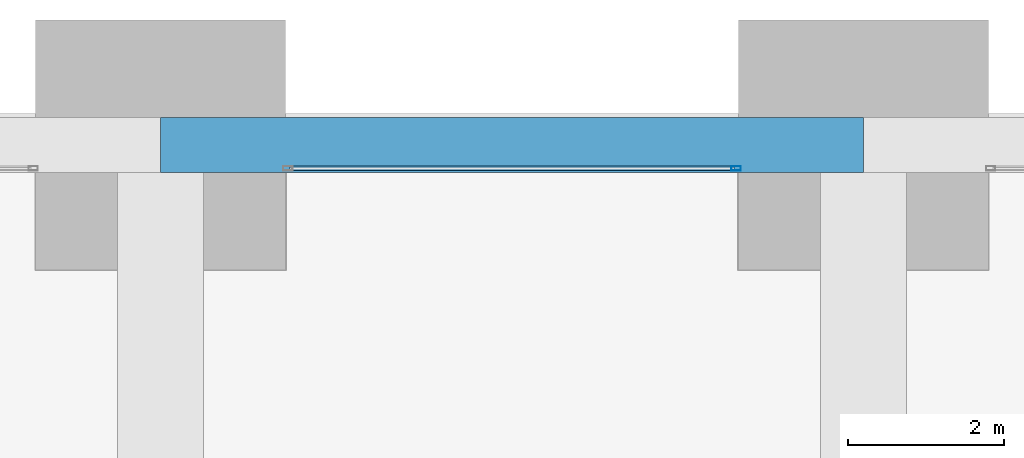
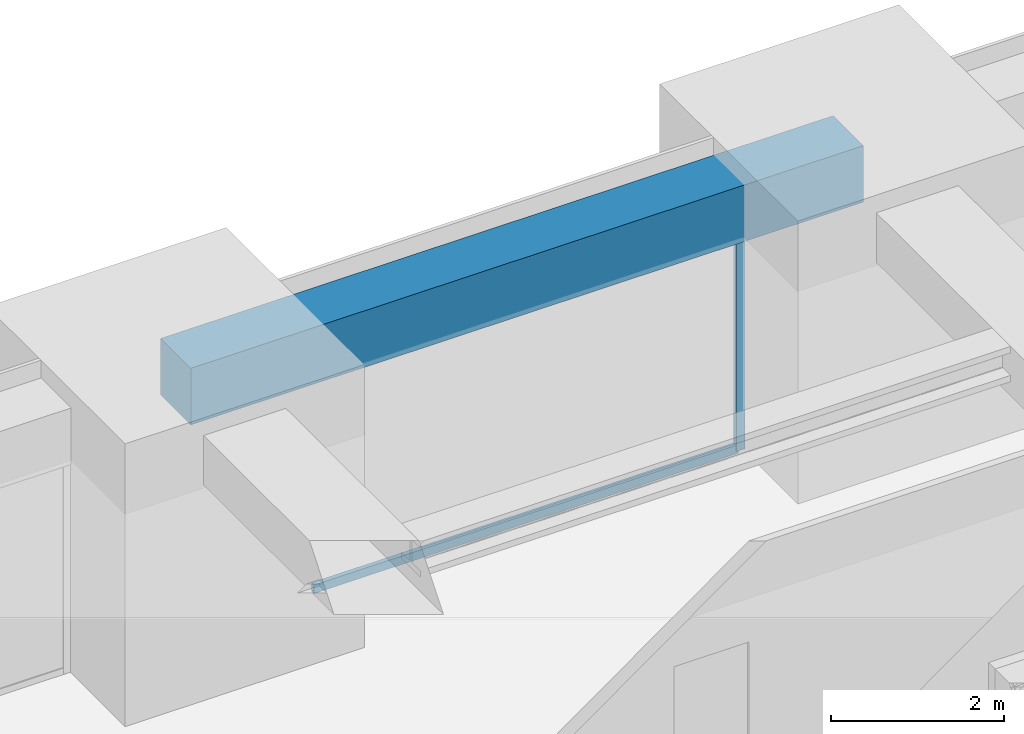
# One storey, part 29 of 40: 2 members, 1 beam, 1 element without a shape of its own.
"""IFC4 building model written with IfcOpenShell, lengths in metres."""

from ifc_helpers import new_model, si_unit, direction, frame, origin, origin_2d, place, context, subcontext, project, spatial, rectangle, hollow_rectangle, extrude, material, material_profile, profile_set, type_object, element, aggregate, save


model = new_model("IFC4")

# Units and contexts
model_context = context("Model", 3, precision=1e-05, world=origin(), true_north=direction((0.0, 1.0)))
body_context = subcontext(model_context, "Body", "Model", "MODEL_VIEW")
ifc_project = project(units=[si_unit("LENGTHUNIT", "METRE"), si_unit("AREAUNIT", "SQUARE_METRE"), si_unit("VOLUMEUNIT", "CUBIC_METRE"), si_unit("PLANEANGLEUNIT", "RADIAN"), si_unit("MASSUNIT", "GRAM", prefix="KILO")], contexts=[model_context])

# Site, building, storey
site_placement = place(None, origin())
site = spatial("IfcSite", under=ifc_project, at=site_placement, CompositionType="ELEMENT")
building_placement = place(site_placement, origin())
building = spatial("IfcBuilding", under=site, at=building_placement, Name="Zorevar Civic Tower", CompositionType="ELEMENT")
storey_placement = place(building_placement, frame((0.0, 0.0, 239.39990234375)))
storey = spatial("IfcBuildingStorey", under=building, at=storey_placement, Name="L58", CompositionType="ELEMENT", Elevation=239.39990234375)

# Curtain wall, members
ifc_material_1 = material(Name="Dark grey solar-control glass in black aluminium frame", Category="aluminium")
curtain_wall_type = type_object("IfcCurtainWallType", Name="Curtain wall CW5 top zone", PredefinedType="NOTDEFINED", material=ifc_material_1)
curtain_wall_placement = place(storey_placement, origin())
curtain_wall = element("IfcCurtainWall", 1, at=curtain_wall_placement, inside=storey, type_object=curtain_wall_type, Name="CW5 L58", PredefinedType="NOTDEFINED")
ifc_material_2 = material(Name="Aluminium, black anodised", Category="aluminium")
ifc_material_profile_1 = material_profile(ifc_material_2, hollow_rectangle(XDim=0.06005859375, YDim=0.1201171875, WallThickness=0.0029296875, at=origin_2d()), Name="AL 120x60x3")
ifc_profile_set_1 = profile_set([ifc_material_profile_1], Name="Aluminium, black anodised")
member_type_1 = type_object("IfcMemberType", Name="CW5 mullion AL 120x60x3", PredefinedType="MULLION", material=ifc_profile_set_1)
member_1_placement = place(storey_placement, frame((34.3701171875, 44.699951171875, 0.0), z_axis=(0.0, 0.0, 1.0), x_axis=(0.0, 1.0, 0.0)))
member_1 = element("IfcMember", 2, at=member_1_placement, type_object=member_type_1, Name="CW5 mullion 2", PredefinedType="MULLION", context=body_context, shape_type="SweptSolid", body=[
    extrude(hollow_rectangle(XDim=0.06005859375, YDim=0.1201171875, WallThickness=0.0029296875, at=origin_2d()), origin(), (0.0, 0.0, 1.0), 2.9501953125),
])
ifc_material_3 = material(Name="Aluminium, black anodised", Category="aluminium")
ifc_material_profile_2 = material_profile(ifc_material_3, hollow_rectangle(XDim=0.06005859375, YDim=0.1201171875, WallThickness=0.0029296875, at=origin_2d()), Name="AL 120x60x3")
ifc_profile_set_2 = profile_set([ifc_material_profile_2], Name="Aluminium, black anodised")
member_type_2 = type_object("IfcMemberType", Name="CW5 transom AL 120x60x3", PredefinedType="USERDEFINED", material=ifc_profile_set_2)
member_2_placement = place(storey_placement, frame((28.659912109375, 44.699951171875, 0.030029296875), z_axis=(1.0, 0.0, 0.0), x_axis=(0.0, 1.0, 0.0)))
member_2 = element("IfcMember", 3, at=member_2_placement, type_object=member_type_2, Name="CW5 sill transom", ObjectType="TRANSOM", PredefinedType="USERDEFINED", context=body_context, shape_type="SweptSolid", body=[
    extrude(hollow_rectangle(XDim=0.06005859375, YDim=0.1201171875, WallThickness=0.0029296875, at=origin_2d()), origin(), (0.0, 0.0, 1.0), 5.68017578125),
])
aggregate(curtain_wall, [member_1, member_2])

# Beam
ifc_material_4 = material(Name="Concrete C50/60", Category="concrete")
ifc_material_profile_3 = material_profile(ifc_material_4, rectangle(XDim=0.699951171875, YDim=0.800048828125, at=origin_2d()), Name="RC 700x800")
ifc_profile_set_3 = profile_set([ifc_material_profile_3], Name="Concrete C50/60")
beam_type = type_object("IfcBeamType", Name="Edge beam RC 700x800", PredefinedType="SPANDREL", material=ifc_profile_set_3)
beam_placement = place(storey_placement, frame((27.0, 45.0, 3.35009765625), z_axis=(1.0, 0.0, 0.0), x_axis=(0.0, 1.0, 0.0)))
element("IfcBeam", 4, at=beam_placement, inside=storey, type_object=beam_type, Name="Edge beam L59", PredefinedType="SPANDREL", context=body_context, shape_type="SweptSolid", body=[
    extrude(rectangle(XDim=0.699951171875, YDim=0.800048828125, at=origin_2d()), origin(), (0.0, 0.0, 1.0), 9.0),
])

save(model, "model.ifc")
